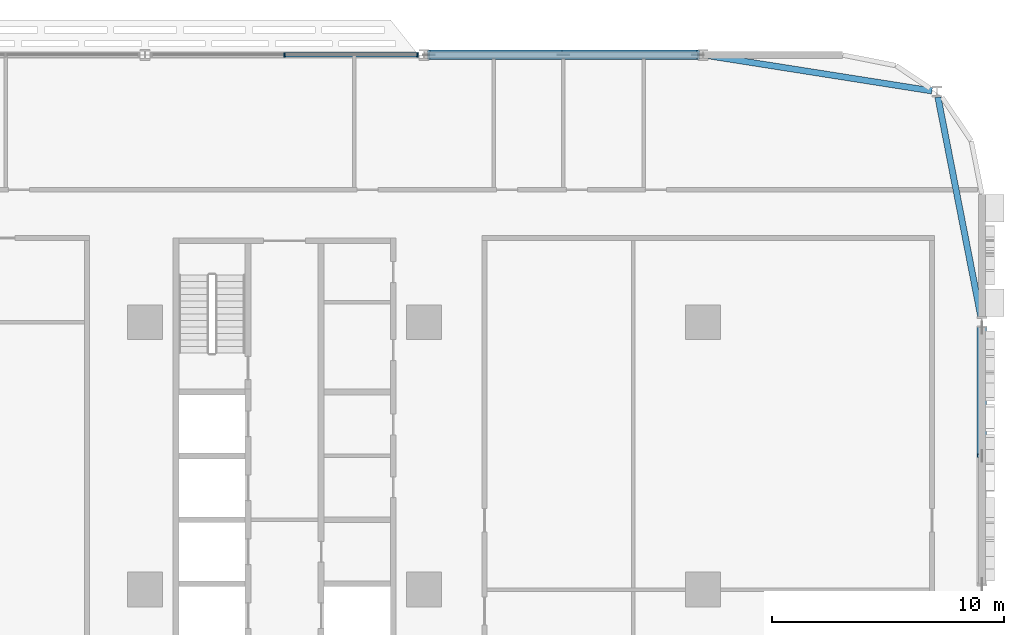
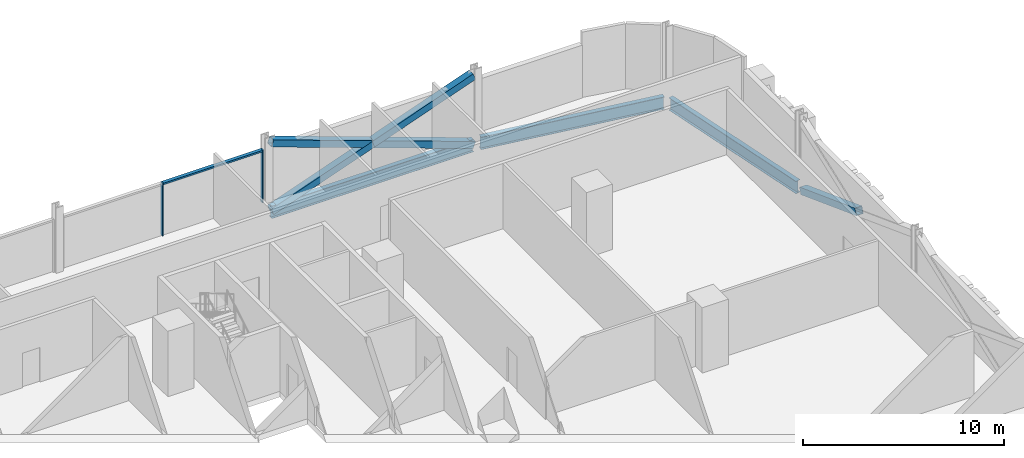
# One storey, part 10 of 29: 7 members, 3 beams, 1 element without a shape of its own.
"""IFC4 building model written with IfcOpenShell, lengths in metres."""

import ifcopenshell
import ifcopenshell.guid

model = None  # the IFC model being written
_history = None  # IfcOwnerHistory: only IFC2X3 demands one
_inside = {}  # id of a spatial element -> (the spatial element, [elements in it])
_under = {}  # id of a project, library or spatial element -> (it, [spatial elements below it])
_declared = {}  # id of a project -> (the project, [libraries it declares])
_typed = {}  # id of a type object -> (the type object, [elements of that type])
_made_of = {}  # id of a material, layer set ... -> (it, [elements and type objects made of it])


def new_model(schema):
    """Start an empty IFC model of exactly this schema.

    Asked for "IFC4X3", IfcOpenShell would pick the latest addendum, in which some entities
    have other attributes; the version numbers below select the first issue.
    IFC2X3 requires an IfcOwnerHistory on every rooted entity: one is made here for all.
    """
    global model, _history
    if schema == "IFC4X3":
        model = ifcopenshell.file(schema_version=(4, 3, 0, 0))
    else:
        model = ifcopenshell.file(schema=schema)
    _inside.clear()
    _under.clear()
    _declared.clear()
    _typed.clear()
    _made_of.clear()
    _history = None
    if model.schema == "IFC2X3":
        org = make("IfcOrganization", Name="unknown")
        user = make(
            "IfcPersonAndOrganization",
            ThePerson=make("IfcPerson", FamilyName="unknown"),
            TheOrganization=org,
        )
        app = make(
            "IfcApplication",
            ApplicationDeveloper=org,
            Version="unknown",
            ApplicationFullName="unknown",
            ApplicationIdentifier="unknown",
        )
        _history = make(
            "IfcOwnerHistory",
            OwningUser=user,
            OwningApplication=app,
            ChangeAction="ADDED",
            CreationDate=0,
        )
    return model


def make(cls, **values):
    """One entity of the class cls with the attributes given. An attribute that is None is left unset."""
    return model.create_entity(
        cls, **{name: value for name, value in values.items() if value is not None}
    )


def rooted(cls, **values):
    """An entity with a GlobalId (a new one), such as an element, a storey or a relation."""
    return make(cls, GlobalId=ifcopenshell.guid.new(), OwnerHistory=_history, **values)


def si_unit(unit_type, name, prefix=None):
    """IfcSIUnit, for example si_unit("LENGTHUNIT", "METRE", prefix="MILLI")."""
    return make("IfcSIUnit", UnitType=unit_type, Prefix=prefix, Name=name)


def assignment(units):
    """IfcUnitAssignment: the units of a project."""
    return None if units is None else make("IfcUnitAssignment", Units=units)


def point(xyz):
    """IfcCartesianPoint."""
    return None if xyz is None else make("IfcCartesianPoint", Coordinates=xyz)


def direction(xyz):
    """IfcDirection."""
    return None if xyz is None else make("IfcDirection", DirectionRatios=xyz)


def frame(location, z_axis=None, x_axis=None):
    """IfcAxis2Placement3D, a coordinate frame: its origin and axes. An axis left out is left unset."""
    return make(
        "IfcAxis2Placement3D",
        Location=point(location),
        Axis=direction(z_axis),
        RefDirection=direction(x_axis),
    )


def frame_2d(location, x_axis=None):
    """IfcAxis2Placement2D, a coordinate frame in the plane: its origin and x axis."""
    return make(
        "IfcAxis2Placement2D", Location=point(location), RefDirection=direction(x_axis)
    )


def origin():
    """The frame at (0, 0, 0) with its axes left unset."""
    return frame((0.0, 0.0, 0.0))


def origin_2d():
    """The frame at (0, 0) in the plane with its x axis left unset."""
    return frame_2d((0.0, 0.0))


def place(relative_to, where):
    """IfcLocalPlacement: puts the frame where relative to a parent placement (None: the world)."""
    return make(
        "IfcLocalPlacement", PlacementRelTo=relative_to, RelativePlacement=where
    )


def context(
    kind, dimensions, precision=None, world=None, true_north=None, identifier=None
):
    """IfcGeometricRepresentationContext, for example the 3D "Model" context."""
    return make(
        "IfcGeometricRepresentationContext",
        ContextIdentifier=identifier,
        ContextType=kind,
        CoordinateSpaceDimension=dimensions,
        Precision=precision,
        WorldCoordinateSystem=world,
        TrueNorth=true_north,
    )


def subcontext(parent, identifier, kind, view, scale=None):
    """IfcGeometricRepresentationSubContext, for example "Body" below "Model"."""
    return make(
        "IfcGeometricRepresentationSubContext",
        ContextIdentifier=identifier,
        ContextType=kind,
        ParentContext=parent,
        TargetScale=scale,
        TargetView=view,
    )


def project(units=None, contexts=None):
    """IfcProject with its units and contexts."""
    return rooted(
        "IfcProject",
        Name="project",
        RepresentationContexts=contexts,
        UnitsInContext=assignment(units),
    )


def spatial(cls, under=None, at=None, **own):
    """A site, building, storey or space (cls), placed at a placement, below another one or the project."""
    s = rooted(cls, ObjectPlacement=at, **own)
    if under is not None:
        _under.setdefault(under.id(), (under, []))[1].append(s)
    return s


def profile(cls, at=None, kind="AREA", **sizes):
    """A parametric profile (cls). Its sizes go by their IFC names, for example OverallWidth=200.0."""
    return make(cls, ProfileType=kind, Position=at, **sizes)


def rectangle(**sizes):
    """IfcRectangleProfileDef."""
    return profile("IfcRectangleProfileDef", **sizes)


def hollow_rectangle(**sizes):
    """IfcRectangleHollowProfileDef."""
    return profile("IfcRectangleHollowProfileDef", **sizes)


def i_section(**sizes):
    """IfcIShapeProfileDef."""
    return profile("IfcIShapeProfileDef", **sizes)


def extrude(swept, where, along, depth):
    """IfcExtrudedAreaSolid: the profile swept, set in the frame where, extruded along a direction by depth."""
    return make(
        "IfcExtrudedAreaSolid",
        SweptArea=swept,
        Position=where,
        ExtrudedDirection=direction(along),
        Depth=depth,
    )


def shape(context_of_items, identifier, shape_type, items):
    """IfcShapeRepresentation: the items that make up one representation, for example the "Body"."""
    return make(
        "IfcShapeRepresentation",
        ContextOfItems=context_of_items,
        RepresentationIdentifier=identifier,
        RepresentationType=shape_type,
        Items=items,
    )


def material(Name=None, Category=None):
    """IfcMaterial."""
    return make("IfcMaterial", Name=Name, Category=Category)


def material_profile(
    of_material, cross_section, Name=None, Category=None, Priority=None
):
    """IfcMaterialProfile: a cross section and its material."""
    return make(
        "IfcMaterialProfile",
        Name=Name,
        Material=of_material,
        Profile=cross_section,
        Priority=Priority,
        Category=Category,
    )


def profile_set(profiles, Name=None, composite=None):
    """IfcMaterialProfileSet."""
    return make(
        "IfcMaterialProfileSet",
        Name=Name,
        MaterialProfiles=profiles,
        CompositeProfile=composite,
    )


def made_of(thing, what):
    """Note that an element or type object is made of a material, layer set ...; save() writes the relation."""
    if what is not None:
        _made_of.setdefault(what.id(), (what, []))[1].append(thing)
    return thing


def type_object(cls, material=None, **own):
    """A type object (cls), such as IfcWallType, which elements share."""
    return made_of(rooted(cls, **own), material)


def element(
    cls,
    number,
    at=None,
    inside=None,
    cuts=None,
    type_object=None,
    material=None,
    context=None,
    identifier="Body",
    shape_type=None,
    held_by="IfcProductDefinitionShape",
    body=None,
    shapes=None,
    **own,
):
    """One element of the class cls, such as IfcWall. Its Tag is "e" and its number.

    at: its placement. inside: the storey or other place that contains it. cuts: it is an
    opening in that element (IfcRelVoidsElement). A single representation is given by context,
    identifier, shape_type and body (its items); several are given by shapes. held_by: the class
    of the entity that holds the representations. save() writes the other relations.
    """
    e = rooted(cls, Tag="e%d" % number, ObjectPlacement=at, **own)
    if body is not None:
        shapes = [shape(context, identifier, shape_type, body)]
    if shapes is not None:
        e.Representation = make(held_by, Representations=shapes)
    if inside is not None:
        _inside.setdefault(inside.id(), (inside, []))[1].append(e)
    if cuts is not None:
        rooted(
            "IfcRelVoidsElement", RelatingBuildingElement=cuts, RelatedOpeningElement=e
        )
    if type_object is not None:
        _typed.setdefault(type_object.id(), (type_object, []))[1].append(e)
    return made_of(e, material)


def aggregate(whole, parts):
    """IfcRelAggregates: a whole, such as a stair, and the parts it consists of."""
    return rooted("IfcRelAggregates", RelatingObject=whole, RelatedObjects=parts)


def save(model, path):
    """Write the relations noted so far, then the file.

    IfcRelAggregates (storeys below a building ...), IfcRelContainedInSpatialStructure (elements
    in a storey), IfcRelDefinesByType, IfcRelAssociatesMaterial and IfcRelDeclares: one each for
    every whole, place, type object, material and project.
    """
    for whole, parts in _under.values():
        aggregate(whole, parts)
    for where, things in _inside.values():
        rooted(
            "IfcRelContainedInSpatialStructure",
            RelatedElements=things,
            RelatingStructure=where,
        )
    for kind, things in _typed.values():
        rooted("IfcRelDefinesByType", RelatedObjects=things, RelatingType=kind)
    for what, things in _made_of.values():
        rooted("IfcRelAssociatesMaterial", RelatedObjects=things, RelatingMaterial=what)
    for by, libraries in _declared.values():
        rooted("IfcRelDeclares", RelatingContext=by, RelatedDefinitions=libraries)
    model.write(path)


model = new_model("IFC4")

# Units and contexts
model_context = context("Model", 3, precision=1e-05, world=origin(), true_north=direction((0.0, 1.0)))
body_context = subcontext(model_context, "Body", "Model", "MODEL_VIEW")
ifc_project = project(units=[si_unit("LENGTHUNIT", "METRE"), si_unit("AREAUNIT", "SQUARE_METRE"), si_unit("VOLUMEUNIT", "CUBIC_METRE"), si_unit("PLANEANGLEUNIT", "RADIAN"), si_unit("MASSUNIT", "GRAM", prefix="KILO")], contexts=[model_context])

# Site, building, storey
site_placement = place(None, origin())
site = spatial("IfcSite", under=ifc_project, at=site_placement, CompositionType="ELEMENT")
building_placement = place(site_placement, origin())
building = spatial("IfcBuilding", under=site, at=building_placement, Name="Mahtab Terrace Research Tower", CompositionType="ELEMENT")
storey_placement = place(building_placement, frame((0.0, 0.0, 71.800048828125)))
storey = spatial("IfcBuildingStorey", under=building, at=storey_placement, Name="L16", CompositionType="ELEMENT", Elevation=71.800048828125)

# Members
ifc_material_1 = material(Name="Steel ASTM A500 Gr C", Category="steel")
ifc_material_profile_1 = material_profile(ifc_material_1, hollow_rectangle(XDim=0.406494140625, YDim=0.406494140625, WallThickness=0.01904296875, at=origin_2d()), Name="HSS16X16X3/4")
ifc_profile_set_1 = profile_set([ifc_material_profile_1], Name="Steel ASTM A500 Gr C")
member_type_1 = type_object("IfcMemberType", Name="HSS 16x16x3/4 brace XB161634", PredefinedType="BRACE", material=ifc_profile_set_1)
member_1_placement = place(storey_placement, frame((41.787841796875, 23.0, -0.642578125), z_axis=(-0.94138021482, 0.0, 0.33734743388), x_axis=(0.0, -1.0, 0.0)))
element("IfcMember", 1, at=member_1_placement, inside=storey, type_object=member_type_1, Name="Exoskeleton brace L16 02 a", PredefinedType="BRACE", context=body_context, shape_type="SweptSolid", body=[
    extrude(hollow_rectangle(XDim=0.406494140625, YDim=0.406494140625, WallThickness=0.01904296875, at=origin_2d()), origin(), (0.0, 0.0, 1.0), 12.29638671875),
])
for number, where, z_axis, x_axis, name in (
    (2, (30.212158203125, 23.0, -0.642578125), (0.941386519928, 0.0, 0.337329838731), (0.0, 1.0, 0.0), "Exoskeleton brace L16 02 b1"),
    (3, (36.0, 23.0, 1.431396484375), (0.941373909467, 0.0, 0.337365028677), (0.0, 1.0, 0.0), "Exoskeleton brace L16 02 b2"),
):
    element("IfcMember", number, at=place(storey_placement, frame(where, z_axis=z_axis, x_axis=x_axis)), inside=storey, type_object=member_type_1, Name=name, PredefinedType="BRACE", context=body_context, shape_type="SweptSolid", body=[
        extrude(hollow_rectangle(XDim=0.406494140625, YDim=0.406494140625, WallThickness=0.01904296875, at=origin_2d()), origin(), (0.0, 0.0, 1.0), 6.148193359375),
    ])
member_2_placement = place(storey_placement, frame((54.0, 11.262451171875, -0.629638671875), z_axis=(0.0, -0.936671402403, 0.350209485765), x_axis=(1.0, 0.0, 0.0)))
element("IfcMember", 4, at=member_2_placement, inside=storey, type_object=member_type_1, Name="Exoskeleton brace L16 23 b1", PredefinedType="BRACE", context=body_context, shape_type="SweptSolid", body=[
    extrude(hollow_rectangle(XDim=0.406494140625, YDim=0.406494140625, WallThickness=0.01904296875, at=origin_2d()), origin(), (0.0, 0.0, 1.0), 5.88525390625),
])

# Curtain wall, members
ifc_material_2 = material(Name="Laboratory ribbon curtain wall")
curtain_wall_type = type_object("IfcCurtainWallType", Name="Laboratory ribbon curtain wall", PredefinedType="NOTDEFINED", material=ifc_material_2)
curtain_wall_placement = place(storey_placement, origin())
curtain_wall = element("IfcCurtainWall", 5, at=curtain_wall_placement, inside=storey, type_object=curtain_wall_type, Name="EN.L16.3.5", PredefinedType="NOTDEFINED")
ifc_material_3 = material(Name="Natural anodised aluminium", Category="aluminium")
ifc_material_profile_2 = material_profile(ifc_material_3, rectangle(XDim=0.199951171875, YDim=0.06494140625, at=origin_2d()), Name="MULLION 65x200")
ifc_profile_set_2 = profile_set([ifc_material_profile_2], Name="Natural anodised aluminium")
member_type_2 = type_object("IfcMemberType", Name="Laboratory ribbon curtain wall mullion", PredefinedType="MULLION", material=ifc_profile_set_2)
member_3_placement = place(storey_placement, frame((29.7294921875, 23.0, 0.0), z_axis=(0.0, 0.0, 1.0), x_axis=(0.0, -1.0, 0.0)))
member_3 = element("IfcMember", 6, at=member_3_placement, type_object=member_type_2, Name="CWL-2 mullion 1", PredefinedType="MULLION", context=body_context, shape_type="SweptSolid", body=[
    extrude(rectangle(XDim=0.199951171875, YDim=0.06494140625, at=origin_2d()), origin(), (0.0, 0.0, 1.0), 3.203125),
])
member_4_placement = place(storey_placement, frame((24.0, 23.0, 0.0), z_axis=(0.0, 0.0, 1.0), x_axis=(0.0, -1.0, 0.0)))
member_4 = element("IfcMember", 7, at=member_4_placement, type_object=member_type_2, Name="CWL-2 mullion 2", PredefinedType="MULLION", context=body_context, shape_type="SweptSolid", body=[
    extrude(rectangle(XDim=0.199951171875, YDim=0.06494140625, at=origin_2d()), origin(), (0.0, 0.0, 1.0), 3.203125),
])
ifc_material_profile_3 = material_profile(ifc_material_3, rectangle(XDim=0.199951171875, YDim=0.10009765625, at=origin_2d()), Name="TRANSOM 100x200")
ifc_profile_set_3 = profile_set([ifc_material_profile_3], Name="Natural anodised aluminium")
member_type_3 = type_object("IfcMemberType", Name="Laboratory ribbon curtain wall transom", PredefinedType="USERDEFINED", material=ifc_profile_set_3)
member_5_placement = place(storey_placement, frame((29.697021484375, 23.0, 3.153076171875), z_axis=(-1.0, 0.0, 0.0), x_axis=(0.0, -1.0, 0.0)))
member_5 = element("IfcMember", 8, at=member_5_placement, type_object=member_type_3, Name="CWL-2 transom 1", ObjectType="TRANSOM", PredefinedType="USERDEFINED", context=body_context, shape_type="SweptSolid", body=[
    extrude(rectangle(XDim=0.199951171875, YDim=0.10009765625, at=origin_2d()), origin(), (0.0, 0.0, 1.0), 5.66455078125),
])
aggregate(curtain_wall, [member_3, member_4, member_5])

# Beams
ifc_material_4 = material(Name="Steel ASTM A992 Gr 50", Category="steel")
ifc_material_profile_4 = material_profile(ifc_material_4, i_section(OverallWidth=0.2666015625, OverallDepth=0.7568359375, WebThickness=0.013916015625, FlangeThickness=0.019287109375, at=origin_2d()), Name="W30X108")
ifc_profile_set_4 = profile_set([ifc_material_profile_4], Name="Steel ASTM A992 Gr 50")
beam_type = type_object("IfcBeamType", Name="W30x108 beam BS30108", PredefinedType="BEAM", material=ifc_profile_set_4)
beam_1_placement = place(storey_placement, frame((51.849853515625, 21.449462890625, -0.718505859375), z_axis=(-0.987836303792, 0.155497385545, 0.0), x_axis=(-0.155497385545, -0.987836303792, 0.0)))
element("IfcBeam", 9, at=beam_1_placement, inside=storey, type_object=beam_type, Name="Spandrel beam L16 01", PredefinedType="BEAM", context=body_context, shape_type="SweptSolid", body=[
    extrude(i_section(OverallWidth=0.2666015625, OverallDepth=0.7568359375, WebThickness=0.013916015625, FlangeThickness=0.019287109375, at=origin_2d()), origin(), (0.0, 0.0, 1.0), 9.75634765625),
])
beam_2_placement = place(storey_placement, frame((41.787841796875, 23.0, -0.718505859375), z_axis=(-1.0, 0.0, 0.0), x_axis=(0.0, -1.0, 0.0)))
element("IfcBeam", 10, at=beam_2_placement, inside=storey, type_object=beam_type, Name="Spandrel beam L16 02", PredefinedType="BEAM", context=body_context, shape_type="SweptSolid", body=[
    extrude(i_section(OverallWidth=0.2666015625, OverallDepth=0.7568359375, WebThickness=0.013916015625, FlangeThickness=0.019287109375, at=origin_2d()), origin(), (0.0, 0.0, 1.0), 11.57568359375),
])
beam_3_placement = place(storey_placement, frame((53.95361328125, 11.737548828125, -0.718505859375), z_axis=(-0.191819239661, 0.981430272254, 0.0), x_axis=(-0.981430272254, -0.191819239661, 0.0)))
element("IfcBeam", 11, at=beam_3_placement, inside=storey, type_object=beam_type, Name="Spandrel beam L16 24", PredefinedType="BEAM", context=body_context, shape_type="SweptSolid", body=[
    extrude(i_section(OverallWidth=0.2666015625, OverallDepth=0.7568359375, WebThickness=0.013916015625, FlangeThickness=0.019287109375, at=origin_2d()), origin(), (0.0, 0.0, 1.0), 9.61962890625),
])

save(model, "model.ifc")
